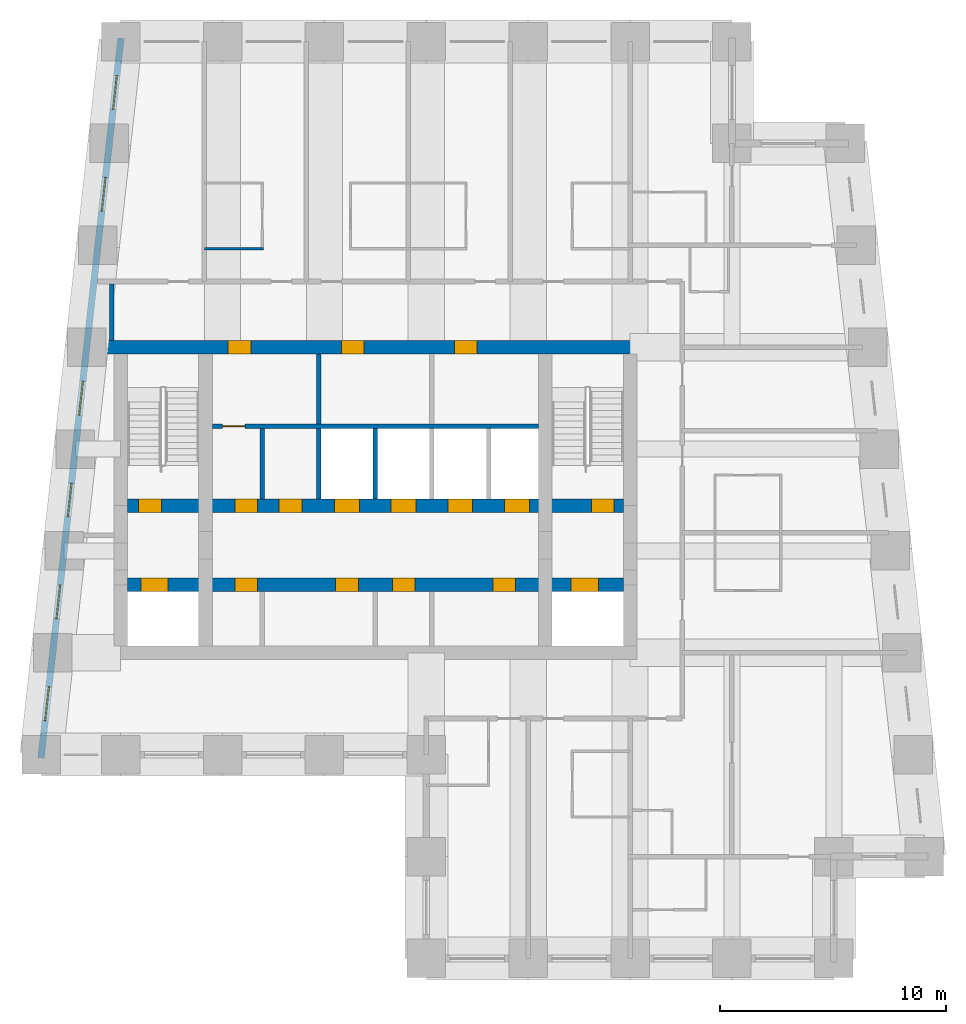
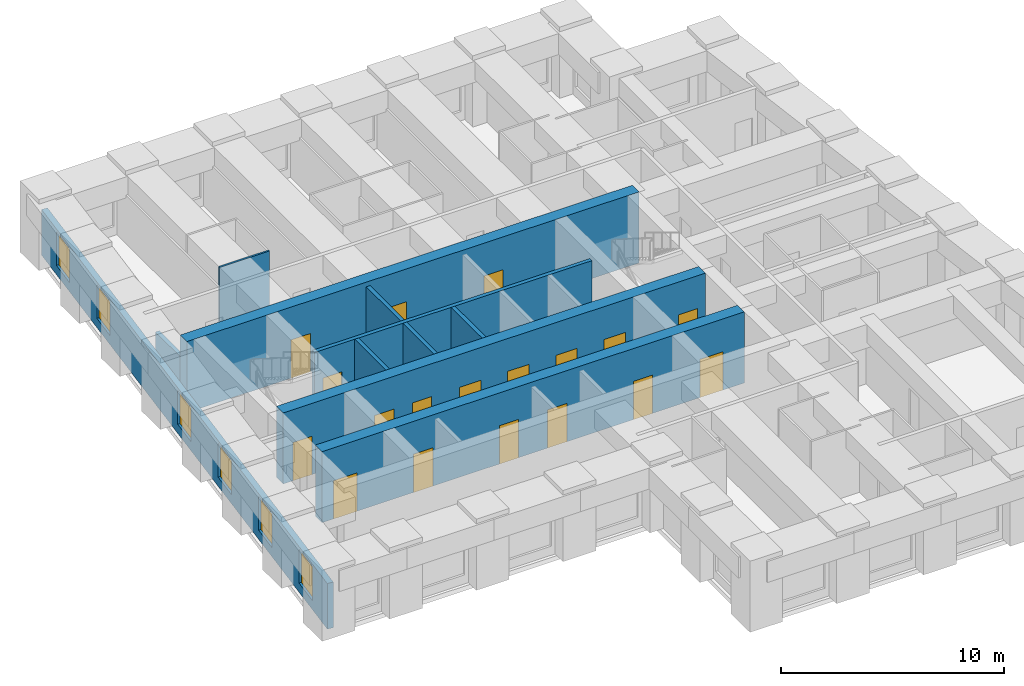
# One storey, part 3 of 7: 18 doors, 11 walls, 6 windows, 24 openings.
"""IFC4 building model written with IfcOpenShell, lengths in metres."""

from ifc_helpers import new_model, si_unit, direction, frame, frame_2d, origin, place, context, subcontext, project, spatial, rectangle, extrude, material, layer, layer_set, type_object, element, fill, save


model = new_model("IFC4")

# Units and contexts
model_context = context("Model", 3, precision=1e-05, world=origin(), true_north=direction((0.0, 1.0)))
body_context = subcontext(model_context, "Body", "Model", "MODEL_VIEW")
ifc_project = project(units=[si_unit("LENGTHUNIT", "METRE"), si_unit("AREAUNIT", "SQUARE_METRE"), si_unit("VOLUMEUNIT", "CUBIC_METRE"), si_unit("PLANEANGLEUNIT", "RADIAN"), si_unit("MASSUNIT", "GRAM", prefix="KILO")], contexts=[model_context])

# Site, building, storey
site_placement = place(None, origin())
site = spatial("IfcSite", under=ifc_project, at=site_placement, CompositionType="ELEMENT")
building_placement = place(site_placement, origin())
building = spatial("IfcBuilding", under=site, at=building_placement, Name="Kilele Tower Hotel", CompositionType="ELEMENT")
storey_placement = place(building_placement, frame((0.0, 0.0, 225.199951171875)))
storey = spatial("IfcBuildingStorey", under=building, at=storey_placement, Name="L58", CompositionType="ELEMENT", Elevation=225.199951171875)

# Wall
ifc_material_1 = material(Name="Moisture-resistant board")
ifc_layer_1 = layer(ifc_material_1, 0.10009765625)
ifc_layer_set_1 = layer_set([ifc_layer_1], Name="Moisture-resistant board")
wall_type_1 = type_object("IfcWallType", Name="Bathroom partition 100", PredefinedType="PLUMBINGWALL", material=ifc_layer_set_1)
wall_1_placement = place(storey_placement, frame((17.199951171875, 31.35009765625, 0.0), z_axis=(0.0, 0.0, 1.0), x_axis=(1.0, 0.0, 0.0)))
element("IfcWall", 1, at=wall_1_placement, inside=storey, type_object=wall_type_1, Name="Bathroom partition 100 L58", PredefinedType="PLUMBINGWALL", context=body_context, shape_type="SweptSolid", body=[
    extrude(rectangle(XDim=2.60009765625, YDim=0.10009765625, at=frame_2d((1.300048828125, 0.0))), origin(), (0.0, 0.0, 1.0), 3.650146484375),
])

# Wall, openings, doors
ifc_material_2 = material(Name="Concrete C60/75", Category="concrete")
ifc_layer_2 = layer(ifc_material_2, 0.60009765625)
ifc_layer_set_2 = layer_set([ifc_layer_2], Name="Concrete C60/75")
wall_type_2 = type_object("IfcWallType", Name="Core wall 600 C60/75", PredefinedType="SHEAR", material=ifc_layer_set_2)
wall_2_placement = place(storey_placement, frame((36.300048828125, 27.0, 0.0), z_axis=(0.0, 0.0, 1.0), x_axis=(-1.0, 0.0, 0.0)))
wall_2 = element("IfcWall", 2, at=wall_2_placement, inside=storey, type_object=wall_type_2, Name="Core wall N L58", PredefinedType="SHEAR", context=body_context, shape_type="SweptSolid", body=[
    extrude(rectangle(XDim=23.449951171875, YDim=0.60009765625, at=frame_2d((11.72509765625, 0.0))), origin(), (0.0, 0.0, 1.0), 3.900146484375),
])
opening_1_placement = place(wall_2_placement, frame((17.050048828125, 0.0, 0.0)))
opening_1 = element("IfcOpeningElement", 3, at=opening_1_placement, cuts=wall_2, Name="Opening D12", PredefinedType="OPENING", context=body_context, shape_type="SweptSolid", body=[
    extrude(rectangle(XDim=1.0, YDim=2.10009765625, at=frame_2d((0.5, 1.050048828125))), frame((0.0, 0.31005859375, 0.0), z_axis=(0.0, -1.0, 0.0), x_axis=(1.0, 0.0, 0.0)), (0.0, 0.0, 1.0), 0.6201171875),
])
opening_2_placement = place(wall_2_placement, frame((12.050048828125, 0.0, 0.0)))
opening_2 = element("IfcOpeningElement", 4, at=opening_2_placement, cuts=wall_2, Name="Opening D6", PredefinedType="OPENING", context=body_context, shape_type="SweptSolid", body=[
    extrude(rectangle(XDim=1.0, YDim=2.10009765625, at=frame_2d((0.5, 1.050048828125))), frame((0.0, 0.31005859375, 0.0), z_axis=(0.0, -1.0, 0.0), x_axis=(1.0, 0.0, 0.0)), (0.0, 0.0, 1.0), 0.6201171875),
])
opening_3_placement = place(wall_2_placement, frame((7.050048828125, 0.0, 0.0)))
opening_3 = element("IfcOpeningElement", 5, at=opening_3_placement, cuts=wall_2, Name="Opening D6", PredefinedType="OPENING", context=body_context, shape_type="SweptSolid", body=[
    extrude(rectangle(XDim=1.0, YDim=2.10009765625, at=frame_2d((0.5, 1.050048828125))), frame((0.0, 0.31005859375, 0.0), z_axis=(0.0, -1.0, 0.0), x_axis=(1.0, 0.0, 0.0)), (0.0, 0.0, 1.0), 0.6201171875),
])
ifc_material_3 = material(Name="Timber door leaf in hardwood frame", Category="wood")
door_type_1 = type_object("IfcDoorType", Name="Core lobby door 1000", OperationType="SINGLE_SWING_LEFT", PredefinedType="DOOR", material=ifc_material_3)
door_1_placement = place(opening_1_placement, origin())
door_1 = element("IfcDoor", 6, at=door_1_placement, inside=storey, type_object=door_type_1, Name="North lobby door L58", OperationType="SINGLE_SWING_RIGHT", OverallHeight=2.10009765625, OverallWidth=1.0, PredefinedType="DOOR", context=body_context, shape_type="SweptSolid", body=[
    extrude(rectangle(XDim=1.0, YDim=2.10009765625, at=frame_2d((0.5, 1.050048828125))), frame((0.0, 0.2998046875, 0.0), z_axis=(0.0, -1.0, 0.0), x_axis=(1.0, 0.0, 0.0)), (0.0, 0.0, 1.0), 0.599609375),
])
fill(opening_1, door_1)
ifc_material_4 = material(Name="Timber door leaf in hardwood frame", Category="wood")
door_type_2 = type_object("IfcDoorType", Name="Riser door 1000", OperationType="SINGLE_SWING_LEFT", PredefinedType="DOOR", material=ifc_material_4)
door_2_placement = place(opening_2_placement, origin())
door_2 = element("IfcDoor", 7, at=door_2_placement, inside=storey, type_object=door_type_2, Name="Ice and vending room door L58", OperationType="SINGLE_SWING_RIGHT", OverallHeight=2.10009765625, OverallWidth=1.0, PredefinedType="DOOR", context=body_context, shape_type="SweptSolid", body=[
    extrude(rectangle(XDim=1.0, YDim=2.10009765625, at=frame_2d((0.5, 1.050048828125))), frame((0.0, 0.2998046875, 0.0), z_axis=(0.0, -1.0, 0.0), x_axis=(1.0, 0.0, 0.0)), (0.0, 0.0, 1.0), 0.599609375),
])
fill(opening_2, door_2)
door_3_placement = place(opening_3_placement, origin())
door_3 = element("IfcDoor", 8, at=door_3_placement, inside=storey, type_object=door_type_2, Name="Electrical riser door L58", OperationType="SINGLE_SWING_RIGHT", OverallHeight=2.10009765625, OverallWidth=1.0, PredefinedType="DOOR", context=body_context, shape_type="SweptSolid", body=[
    extrude(rectangle(XDim=1.0, YDim=2.10009765625, at=frame_2d((0.5, 1.050048828125))), frame((0.0, 0.2998046875, 0.0), z_axis=(0.0, -1.0, 0.0), x_axis=(1.0, 0.0, 0.0)), (0.0, 0.0, 1.0), 0.599609375),
])
fill(opening_3, door_3)

wall_3_placement = place(storey_placement, frame((13.800048828125, 16.5, 0.0), z_axis=(0.0, 0.0, 1.0), x_axis=(1.0, 0.0, 0.0)))
wall_3 = element("IfcWall", 9, at=wall_3_placement, inside=storey, type_object=wall_type_2, Name="Core wall LS L58", PredefinedType="SHEAR", context=body_context, shape_type="SweptSolid", body=[
    extrude(rectangle(XDim=21.89990234375, YDim=0.60009765625, at=frame_2d((10.949951171875, 0.0))), origin(), (0.0, 0.0, 1.0), 3.900146484375),
])
opening_4_placement = place(wall_3_placement, frame((5.75, 0.0, 0.0), z_axis=(0.0, 0.0, 1.0), x_axis=(-1.0, 0.0, 0.0)))
opening_4 = element("IfcOpeningElement", 10, at=opening_4_placement, cuts=wall_3, Name="Opening D11", PredefinedType="OPENING", context=body_context, shape_type="SweptSolid", body=[
    extrude(rectangle(XDim=1.0, YDim=2.10009765625, at=frame_2d((0.5, 1.050048828125))), frame((0.0, 0.31005859375, 0.0), z_axis=(0.0, -1.0, 0.0), x_axis=(1.0, 0.0, 0.0)), (0.0, 0.0, 1.0), 0.6201171875),
])
opening_5_placement = place(wall_3_placement, frame((10.199951171875, 0.0, 0.0), z_axis=(0.0, 0.0, 1.0), x_axis=(-1.0, 0.0, 0.0)))
opening_5 = element("IfcOpeningElement", 11, at=opening_5_placement, cuts=wall_3, Name="Opening D11", PredefinedType="OPENING", context=body_context, shape_type="SweptSolid", body=[
    extrude(rectangle(XDim=1.0, YDim=2.10009765625, at=frame_2d((0.5, 1.050048828125))), frame((0.0, 0.31005859375, 0.0), z_axis=(0.0, -1.0, 0.0), x_axis=(1.0, 0.0, 0.0)), (0.0, 0.0, 1.0), 0.6201171875),
])
opening_6_placement = place(wall_3_placement, frame((12.699951171875, 0.0, 0.0), z_axis=(0.0, 0.0, 1.0), x_axis=(-1.0, 0.0, 0.0)))
opening_6 = element("IfcOpeningElement", 12, at=opening_6_placement, cuts=wall_3, Name="Opening D11", PredefinedType="OPENING", context=body_context, shape_type="SweptSolid", body=[
    extrude(rectangle(XDim=1.0, YDim=2.10009765625, at=frame_2d((0.5, 1.050048828125))), frame((0.0, 0.31005859375, 0.0), z_axis=(0.0, -1.0, 0.0), x_axis=(1.0, 0.0, 0.0)), (0.0, 0.0, 1.0), 0.6201171875),
])
opening_7_placement = place(wall_3_placement, frame((17.14990234375, 0.0, 0.0), z_axis=(0.0, 0.0, 1.0), x_axis=(-1.0, 0.0, 0.0)))
opening_7 = element("IfcOpeningElement", 13, at=opening_7_placement, cuts=wall_3, Name="Opening D11", PredefinedType="OPENING", context=body_context, shape_type="SweptSolid", body=[
    extrude(rectangle(XDim=1.0, YDim=2.10009765625, at=frame_2d((0.5, 1.050048828125))), frame((0.0, 0.31005859375, 0.0), z_axis=(0.0, -1.0, 0.0), x_axis=(1.0, 0.0, 0.0)), (0.0, 0.0, 1.0), 0.6201171875),
])
opening_8_placement = place(wall_3_placement, frame((0.60009765625, 0.0, 0.0)))
opening_8 = element("IfcOpeningElement", 14, at=opening_8_placement, cuts=wall_3, Name="Opening LD2", PredefinedType="OPENING", context=body_context, shape_type="SweptSolid", body=[
    extrude(rectangle(XDim=1.199951171875, YDim=2.10009765625, at=frame_2d((0.60009765625, 1.050048828125))), frame((0.0, 0.31005859375, 0.0), z_axis=(0.0, -1.0, 0.0), x_axis=(1.0, 0.0, 0.0)), (0.0, 0.0, 1.0), 0.6201171875),
])
opening_9_placement = place(wall_3_placement, frame((19.60009765625, 0.0, 0.0)))
opening_9 = element("IfcOpeningElement", 15, at=opening_9_placement, cuts=wall_3, Name="Opening LD2", PredefinedType="OPENING", context=body_context, shape_type="SweptSolid", body=[
    extrude(rectangle(XDim=1.199951171875, YDim=2.10009765625, at=frame_2d((0.60009765625, 1.050048828125))), frame((0.0, 0.31005859375, 0.0), z_axis=(0.0, -1.0, 0.0), x_axis=(1.0, 0.0, 0.0)), (0.0, 0.0, 1.0), 0.6201171875),
])
ifc_material_5 = material(Name="Timber door leaf in hardwood frame", Category="wood")
door_type_3 = type_object("IfcDoorType", Name="Core store door 1000", OperationType="SINGLE_SWING_LEFT", PredefinedType="DOOR", material=ifc_material_5)
door_4_placement = place(opening_4_placement, origin())
door_4 = element("IfcDoor", 16, at=door_4_placement, inside=storey, type_object=door_type_3, Name="Core room door L1 L58", OperationType="SINGLE_SWING_LEFT", OverallHeight=2.10009765625, OverallWidth=1.0, PredefinedType="DOOR", context=body_context, shape_type="SweptSolid", body=[
    extrude(rectangle(XDim=1.0, YDim=2.10009765625, at=frame_2d((0.5, 1.050048828125))), frame((0.0, 0.2998046875, 0.0), z_axis=(0.0, -1.0, 0.0), x_axis=(1.0, 0.0, 0.0)), (0.0, 0.0, 1.0), 0.599609375),
])
fill(opening_4, door_4)
door_5_placement = place(opening_5_placement, origin())
door_5 = element("IfcDoor", 17, at=door_5_placement, inside=storey, type_object=door_type_3, Name="Core room door L3 L58", OperationType="SINGLE_SWING_LEFT", OverallHeight=2.10009765625, OverallWidth=1.0, PredefinedType="DOOR", context=body_context, shape_type="SweptSolid", body=[
    extrude(rectangle(XDim=1.0, YDim=2.10009765625, at=frame_2d((0.5, 1.050048828125))), frame((0.0, 0.2998046875, 0.0), z_axis=(0.0, -1.0, 0.0), x_axis=(1.0, 0.0, 0.0)), (0.0, 0.0, 1.0), 0.599609375),
])
fill(opening_5, door_5)
door_6_placement = place(opening_6_placement, origin())
door_6 = element("IfcDoor", 18, at=door_6_placement, inside=storey, type_object=door_type_3, Name="Core room door M1 L58", OperationType="SINGLE_SWING_LEFT", OverallHeight=2.10009765625, OverallWidth=1.0, PredefinedType="DOOR", context=body_context, shape_type="SweptSolid", body=[
    extrude(rectangle(XDim=1.0, YDim=2.10009765625, at=frame_2d((0.5, 1.050048828125))), frame((0.0, 0.2998046875, 0.0), z_axis=(0.0, -1.0, 0.0), x_axis=(1.0, 0.0, 0.0)), (0.0, 0.0, 1.0), 0.599609375),
])
fill(opening_6, door_6)
door_7_placement = place(opening_7_placement, origin())
door_7 = element("IfcDoor", 19, at=door_7_placement, inside=storey, type_object=door_type_3, Name="Core room door M3 L58", OperationType="SINGLE_SWING_LEFT", OverallHeight=2.10009765625, OverallWidth=1.0, PredefinedType="DOOR", context=body_context, shape_type="SweptSolid", body=[
    extrude(rectangle(XDim=1.0, YDim=2.10009765625, at=frame_2d((0.5, 1.050048828125))), frame((0.0, 0.2998046875, 0.0), z_axis=(0.0, -1.0, 0.0), x_axis=(1.0, 0.0, 0.0)), (0.0, 0.0, 1.0), 0.599609375),
])
fill(opening_7, door_7)
ifc_material_6 = material(Name="Steel lift landing door", Category="steel")
door_type_4 = type_object("IfcDoorType", Name="Firefighting lift landing door 1200", OperationType="SLIDING_TO_LEFT", PredefinedType="DOOR", material=ifc_material_6)
door_8_placement = place(opening_8_placement, origin())
door_8 = element("IfcDoor", 20, at=door_8_placement, inside=storey, type_object=door_type_4, Name="Landing door FFW L58", OperationType="SLIDING_TO_LEFT", OverallHeight=2.10009765625, OverallWidth=1.199951171875, PredefinedType="DOOR", context=body_context, shape_type="SweptSolid", body=[
    extrude(rectangle(XDim=1.199951171875, YDim=2.10009765625, at=frame_2d((0.60009765625, 1.050048828125))), frame((0.0, 0.2998046875, 0.0), z_axis=(0.0, -1.0, 0.0), x_axis=(1.0, 0.0, 0.0)), (0.0, 0.0, 1.0), 0.599609375),
])
fill(opening_8, door_8)
door_9_placement = place(opening_9_placement, origin())
door_9 = element("IfcDoor", 21, at=door_9_placement, inside=storey, type_object=door_type_4, Name="Landing door FFE L58", OperationType="SLIDING_TO_LEFT", OverallHeight=2.10009765625, OverallWidth=1.199951171875, PredefinedType="DOOR", context=body_context, shape_type="SweptSolid", body=[
    extrude(rectangle(XDim=1.199951171875, YDim=2.10009765625, at=frame_2d((0.60009765625, 1.050048828125))), frame((0.0, 0.2998046875, 0.0), z_axis=(0.0, -1.0, 0.0), x_axis=(1.0, 0.0, 0.0)), (0.0, 0.0, 1.0), 0.599609375),
])
fill(opening_9, door_9)

wall_4_placement = place(storey_placement, frame((13.800048828125, 20.0, 0.0), z_axis=(0.0, 0.0, 1.0), x_axis=(1.0, 0.0, 0.0)))
wall_4 = element("IfcWall", 22, at=wall_4_placement, inside=storey, type_object=wall_type_2, Name="Core wall LN L58", PredefinedType="SHEAR", context=body_context, shape_type="SweptSolid", body=[
    extrude(rectangle(XDim=21.89990234375, YDim=0.60009765625, at=frame_2d((10.949951171875, 0.0))), origin(), (0.0, 0.0, 1.0), 3.900146484375),
])
opening_10_placement = place(wall_4_placement, frame((0.5, 0.0, 0.0)))
opening_10 = element("IfcOpeningElement", 23, at=opening_10_placement, cuts=wall_4, Name="Opening D5", PredefinedType="OPENING", context=body_context, shape_type="SweptSolid", body=[
    extrude(rectangle(XDim=1.0, YDim=2.10009765625, at=frame_2d((0.5, 1.050048828125))), frame((0.0, 0.31005859375, 0.0), z_axis=(0.0, -1.0, 0.0), x_axis=(1.0, 0.0, 0.0)), (0.0, 0.0, 1.0), 0.6201171875),
])
opening_11_placement = place(wall_4_placement, frame((20.5, 0.0, 0.0)))
opening_11 = element("IfcOpeningElement", 24, at=opening_11_placement, cuts=wall_4, Name="Opening D5", PredefinedType="OPENING", context=body_context, shape_type="SweptSolid", body=[
    extrude(rectangle(XDim=1.0, YDim=2.10009765625, at=frame_2d((0.5, 1.050048828125))), frame((0.0, 0.31005859375, 0.0), z_axis=(0.0, -1.0, 0.0), x_axis=(1.0, 0.0, 0.0)), (0.0, 0.0, 1.0), 0.6201171875),
])
opening_12_placement = place(wall_4_placement, frame((9.14990234375, 0.0, 0.0)))
opening_12 = element("IfcOpeningElement", 25, at=opening_12_placement, cuts=wall_4, Name="Opening LD1", PredefinedType="OPENING", context=body_context, shape_type="SweptSolid", body=[
    extrude(rectangle(XDim=1.10009765625, YDim=2.10009765625, at=frame_2d((0.550048828125, 1.050048828125))), frame((0.0, 0.31005859375, 0.0), z_axis=(0.0, -1.0, 0.0), x_axis=(1.0, 0.0, 0.0)), (0.0, 0.0, 1.0), 0.6201171875),
])
opening_13_placement = place(wall_4_placement, frame((11.64990234375, 0.0, 0.0)))
opening_13 = element("IfcOpeningElement", 26, at=opening_13_placement, cuts=wall_4, Name="Opening LD1", PredefinedType="OPENING", context=body_context, shape_type="SweptSolid", body=[
    extrude(rectangle(XDim=1.10009765625, YDim=2.10009765625, at=frame_2d((0.550048828125, 1.050048828125))), frame((0.0, 0.31005859375, 0.0), z_axis=(0.0, -1.0, 0.0), x_axis=(1.0, 0.0, 0.0)), (0.0, 0.0, 1.0), 0.6201171875),
])
opening_14_placement = place(wall_4_placement, frame((14.14990234375, 0.0, 0.0)))
opening_14 = element("IfcOpeningElement", 27, at=opening_14_placement, cuts=wall_4, Name="Opening LD1", PredefinedType="OPENING", context=body_context, shape_type="SweptSolid", body=[
    extrude(rectangle(XDim=1.10009765625, YDim=2.10009765625, at=frame_2d((0.550048828125, 1.050048828125))), frame((0.0, 0.31005859375, 0.0), z_axis=(0.0, -1.0, 0.0), x_axis=(1.0, 0.0, 0.0)), (0.0, 0.0, 1.0), 0.6201171875),
])
opening_15_placement = place(wall_4_placement, frame((16.64990234375, 0.0, 0.0)))
opening_15 = element("IfcOpeningElement", 28, at=opening_15_placement, cuts=wall_4, Name="Opening LD1", PredefinedType="OPENING", context=body_context, shape_type="SweptSolid", body=[
    extrude(rectangle(XDim=1.10009765625, YDim=2.10009765625, at=frame_2d((0.550048828125, 1.050048828125))), frame((0.0, 0.31005859375, 0.0), z_axis=(0.0, -1.0, 0.0), x_axis=(1.0, 0.0, 0.0)), (0.0, 0.0, 1.0), 0.6201171875),
])
opening_16_placement = place(wall_4_placement, frame((5.75, 0.0, 0.0), z_axis=(0.0, 0.0, 1.0), x_axis=(-1.0, 0.0, 0.0)))
opening_16 = element("IfcOpeningElement", 29, at=opening_16_placement, cuts=wall_4, Name="Opening D12", PredefinedType="OPENING", context=body_context, shape_type="SweptSolid", body=[
    extrude(rectangle(XDim=1.0, YDim=2.10009765625, at=frame_2d((0.5, 1.050048828125))), frame((0.0, 0.31005859375, 0.0), z_axis=(0.0, -1.0, 0.0), x_axis=(1.0, 0.0, 0.0)), (0.0, 0.0, 1.0), 0.6201171875),
])
opening_17_placement = place(wall_4_placement, frame((6.699951171875, 0.0, 0.0)))
opening_17 = element("IfcOpeningElement", 30, at=opening_17_placement, cuts=wall_4, Name="Opening D11", PredefinedType="OPENING", context=body_context, shape_type="SweptSolid", body=[
    extrude(rectangle(XDim=1.0, YDim=2.10009765625, at=frame_2d((0.5, 1.050048828125))), frame((0.0, 0.31005859375, 0.0), z_axis=(0.0, -1.0, 0.0), x_axis=(1.0, 0.0, 0.0)), (0.0, 0.0, 1.0), 0.6201171875),
])
door_10_placement = place(opening_16_placement, origin())
door_10 = element("IfcDoor", 31, at=door_10_placement, inside=storey, type_object=door_type_1, Name="Core passage door L58", OperationType="SINGLE_SWING_RIGHT", OverallHeight=2.10009765625, OverallWidth=1.0, PredefinedType="DOOR", context=body_context, shape_type="SweptSolid", body=[
    extrude(rectangle(XDim=1.0, YDim=2.10009765625, at=frame_2d((0.5, 1.050048828125))), frame((0.0, 0.2998046875, 0.0), z_axis=(0.0, -1.0, 0.0), x_axis=(1.0, 0.0, 0.0)), (0.0, 0.0, 1.0), 0.599609375),
])
fill(opening_16, door_10)
door_11_placement = place(opening_17_placement, origin())
door_11 = element("IfcDoor", 32, at=door_11_placement, inside=storey, type_object=door_type_3, Name="Core room door S2 L58", OperationType="SINGLE_SWING_LEFT", OverallHeight=2.10009765625, OverallWidth=1.0, PredefinedType="DOOR", context=body_context, shape_type="SweptSolid", body=[
    extrude(rectangle(XDim=1.0, YDim=2.10009765625, at=frame_2d((0.5, 1.050048828125))), frame((0.0, 0.2998046875, 0.0), z_axis=(0.0, -1.0, 0.0), x_axis=(1.0, 0.0, 0.0)), (0.0, 0.0, 1.0), 0.599609375),
])
fill(opening_17, door_11)
ifc_material_7 = material(Name="Steel lift landing door", Category="steel")
door_type_5 = type_object("IfcDoorType", Name="Lift landing door 1100", OperationType="SLIDING_TO_LEFT", PredefinedType="DOOR", material=ifc_material_7)
door_12_placement = place(opening_12_placement, origin())
door_12 = element("IfcDoor", 33, at=door_12_placement, inside=storey, type_object=door_type_5, Name="Landing door H1 L58", OperationType="SLIDING_TO_LEFT", OverallHeight=2.10009765625, OverallWidth=1.10009765625, PredefinedType="DOOR", context=body_context, shape_type="SweptSolid", body=[
    extrude(rectangle(XDim=1.10009765625, YDim=2.10009765625, at=frame_2d((0.550048828125, 1.050048828125))), frame((0.0, 0.2998046875, 0.0), z_axis=(0.0, -1.0, 0.0), x_axis=(1.0, 0.0, 0.0)), (0.0, 0.0, 1.0), 0.599609375),
])
fill(opening_12, door_12)
door_13_placement = place(opening_13_placement, origin())
door_13 = element("IfcDoor", 34, at=door_13_placement, inside=storey, type_object=door_type_5, Name="Landing door H2 L58", OperationType="SLIDING_TO_LEFT", OverallHeight=2.10009765625, OverallWidth=1.10009765625, PredefinedType="DOOR", context=body_context, shape_type="SweptSolid", body=[
    extrude(rectangle(XDim=1.10009765625, YDim=2.10009765625, at=frame_2d((0.550048828125, 1.050048828125))), frame((0.0, 0.2998046875, 0.0), z_axis=(0.0, -1.0, 0.0), x_axis=(1.0, 0.0, 0.0)), (0.0, 0.0, 1.0), 0.599609375),
])
fill(opening_13, door_13)
door_14_placement = place(opening_14_placement, origin())
door_14 = element("IfcDoor", 35, at=door_14_placement, inside=storey, type_object=door_type_5, Name="Landing door H3 L58", OperationType="SLIDING_TO_LEFT", OverallHeight=2.10009765625, OverallWidth=1.10009765625, PredefinedType="DOOR", context=body_context, shape_type="SweptSolid", body=[
    extrude(rectangle(XDim=1.10009765625, YDim=2.10009765625, at=frame_2d((0.550048828125, 1.050048828125))), frame((0.0, 0.2998046875, 0.0), z_axis=(0.0, -1.0, 0.0), x_axis=(1.0, 0.0, 0.0)), (0.0, 0.0, 1.0), 0.599609375),
])
fill(opening_14, door_14)
door_15_placement = place(opening_15_placement, origin())
door_15 = element("IfcDoor", 36, at=door_15_placement, inside=storey, type_object=door_type_5, Name="Landing door G1 L58", OperationType="SLIDING_TO_LEFT", OverallHeight=2.10009765625, OverallWidth=1.10009765625, PredefinedType="DOOR", context=body_context, shape_type="SweptSolid", body=[
    extrude(rectangle(XDim=1.10009765625, YDim=2.10009765625, at=frame_2d((0.550048828125, 1.050048828125))), frame((0.0, 0.2998046875, 0.0), z_axis=(0.0, -1.0, 0.0), x_axis=(1.0, 0.0, 0.0)), (0.0, 0.0, 1.0), 0.599609375),
])
fill(opening_15, door_15)
ifc_material_8 = material(Name="Timber door leaf in hardwood frame", Category="wood")
door_type_6 = type_object("IfcDoorType", Name="Stair door 1000", OperationType="SINGLE_SWING_LEFT", PredefinedType="DOOR", material=ifc_material_8)
door_16_placement = place(opening_10_placement, origin())
door_16 = element("IfcDoor", 37, at=door_16_placement, inside=storey, type_object=door_type_6, Name="Stair 1 door L58", OperationType="SINGLE_SWING_LEFT", OverallHeight=2.10009765625, OverallWidth=1.0, PredefinedType="DOOR", context=body_context, shape_type="SweptSolid", body=[
    extrude(rectangle(XDim=1.0, YDim=2.10009765625, at=frame_2d((0.5, 1.050048828125))), frame((0.0, 0.2998046875, 0.0), z_axis=(0.0, -1.0, 0.0), x_axis=(1.0, 0.0, 0.0)), (0.0, 0.0, 1.0), 0.599609375),
])
fill(opening_10, door_16)
door_17_placement = place(opening_11_placement, origin())
door_17 = element("IfcDoor", 38, at=door_17_placement, inside=storey, type_object=door_type_6, Name="Stair 2 door L58", OperationType="SINGLE_SWING_RIGHT", OverallHeight=2.10009765625, OverallWidth=1.0, PredefinedType="DOOR", context=body_context, shape_type="SweptSolid", body=[
    extrude(rectangle(XDim=1.0, YDim=2.10009765625, at=frame_2d((0.5, 1.050048828125))), frame((0.0, 0.2998046875, 0.0), z_axis=(0.0, -1.0, 0.0), x_axis=(1.0, 0.0, 0.0)), (0.0, 0.0, 1.0), 0.599609375),
])
fill(opening_11, door_17)

# Wall
ifc_material_9 = material(Name="Blockwork, plastered both sides", Category="masonry")
ifc_layer_3 = layer(ifc_material_9, 0.199951171875)
ifc_layer_set_3 = layer_set([ifc_layer_3], Name="Blockwork, plastered both sides")
wall_type_3 = type_object("IfcWallType", Name="Partition wall 200", PredefinedType="PARTITIONING", material=ifc_layer_set_3)
wall_5_placement = place(storey_placement, frame((13.10009765625, 27.300048828125, 0.0), z_axis=(0.0, 0.0, 1.0), x_axis=(0.0, 1.0, 0.0)))
element("IfcWall", 39, at=wall_5_placement, inside=storey, type_object=wall_type_3, Name="Partition wall 200 L58", PredefinedType="PARTITIONING", context=body_context, shape_type="SweptSolid", body=[
    extrude(rectangle(XDim=2.5, YDim=0.199951171875, at=frame_2d((1.25, 0.0))), origin(), (0.0, 0.0, 1.0), 2.5),
])

# Wall, openings, windows
ifc_material_10 = material(Name="Concrete C40/50 precast", Category="concrete")
ifc_layer_4 = layer(ifc_material_10, 0.260009765625, Name="Precast backing", Category="LoadBearing")
ifc_material_11 = material(Name="Reconstituted stone finish", Category="masonry")
ifc_layer_5 = layer(ifc_material_11, 0.0400390625, Name="Face mix", Category="Finish")
ifc_layer_set_4 = layer_set([ifc_layer_4, ifc_layer_5], Name="Precast concrete C40/50, reconstituted stone finish")
wall_type_4 = type_object("IfcWallType", Name="Precast stone facade wall 300", PredefinedType="STANDARD", material=ifc_layer_set_4)
wall_6_placement = place(storey_placement, frame((13.5166015625, 40.649169921875, 0.0), z_axis=(0.0, 0.0, 1.0), x_axis=(-0.110433201132, -0.993883548555, 0.0)))
wall_6 = element("IfcWall", 40, at=wall_6_placement, inside=storey, type_object=wall_type_4, Name="Facade wall L58 edge 10", PredefinedType="STANDARD", context=body_context, shape_type="SweptSolid", body=[
    extrude(rectangle(XDim=31.994140625, YDim=0.300048828125, at=frame_2d((15.9970703125, 0.0))), origin(), (0.0, 0.0, 1.0), 2.5),
])
opening_18_placement = place(wall_6_placement, frame((1.6640625, 0.0, 0.5)))
opening_18 = element("IfcOpeningElement", 41, at=opening_18_placement, cuts=wall_6, Name="Opening W4", PredefinedType="OPENING", context=body_context, shape_type="SweptSolid", body=[
    extrude(rectangle(XDim=1.5, YDim=1.85009765625, at=frame_2d((0.75, 0.925048828125))), frame((0.0, 0.159912109375, 0.0), z_axis=(0.0, -1.0, 0.0), x_axis=(1.0, 0.0, 0.0)), (0.0, 0.0, 1.0), 0.320068359375),
])
opening_19_placement = place(wall_6_placement, frame((6.19189453125, 0.0, 0.5)))
opening_19 = element("IfcOpeningElement", 42, at=opening_19_placement, cuts=wall_6, Name="Opening W4", PredefinedType="OPENING", context=body_context, shape_type="SweptSolid", body=[
    extrude(rectangle(XDim=1.5, YDim=1.85009765625, at=frame_2d((0.75, 0.925048828125))), frame((0.0, 0.159912109375, 0.0), z_axis=(0.0, -1.0, 0.0), x_axis=(1.0, 0.0, 0.0)), (0.0, 0.0, 1.0), 0.320068359375),
])
opening_20_placement = place(wall_6_placement, frame((15.2470703125, 0.0, 0.5)))
opening_20 = element("IfcOpeningElement", 43, at=opening_20_placement, cuts=wall_6, Name="Opening W4", PredefinedType="OPENING", context=body_context, shape_type="SweptSolid", body=[
    extrude(rectangle(XDim=1.5, YDim=1.85009765625, at=frame_2d((0.75, 0.925048828125))), frame((0.0, 0.159912109375, 0.0), z_axis=(0.0, -1.0, 0.0), x_axis=(1.0, 0.0, 0.0)), (0.0, 0.0, 1.0), 0.320068359375),
])
opening_21_placement = place(wall_6_placement, frame((19.77490234375, 0.0, 0.5)))
opening_21 = element("IfcOpeningElement", 44, at=opening_21_placement, cuts=wall_6, Name="Opening W4", PredefinedType="OPENING", context=body_context, shape_type="SweptSolid", body=[
    extrude(rectangle(XDim=1.5, YDim=1.85009765625, at=frame_2d((0.75, 0.925048828125))), frame((0.0, 0.159912109375, 0.0), z_axis=(0.0, -1.0, 0.0), x_axis=(1.0, 0.0, 0.0)), (0.0, 0.0, 1.0), 0.320068359375),
])
opening_22_placement = place(wall_6_placement, frame((24.302001953125, 0.0, 0.5)))
opening_22 = element("IfcOpeningElement", 45, at=opening_22_placement, cuts=wall_6, Name="Opening W4", PredefinedType="OPENING", context=body_context, shape_type="SweptSolid", body=[
    extrude(rectangle(XDim=1.5, YDim=1.85009765625, at=frame_2d((0.75, 0.925048828125))), frame((0.0, 0.159912109375, 0.0), z_axis=(0.0, -1.0, 0.0), x_axis=(1.0, 0.0, 0.0)), (0.0, 0.0, 1.0), 0.320068359375),
])
opening_23_placement = place(wall_6_placement, frame((28.830078125, 0.0, 0.5)))
opening_23 = element("IfcOpeningElement", 46, at=opening_23_placement, cuts=wall_6, Name="Opening W4", PredefinedType="OPENING", context=body_context, shape_type="SweptSolid", body=[
    extrude(rectangle(XDim=1.5, YDim=1.85009765625, at=frame_2d((0.75, 0.925048828125))), frame((0.0, 0.159912109375, 0.0), z_axis=(0.0, -1.0, 0.0), x_axis=(1.0, 0.0, 0.0)), (0.0, 0.0, 1.0), 0.320068359375),
])
ifc_material_12 = material(Name="Aluminium frame, clear double glazing", Category="aluminium")
window_type = type_object("IfcWindowType", Name="Window W4 1500 x 1850", PartitioningType="SINGLE_PANEL", PredefinedType="WINDOW", material=ifc_material_12)
window_1_placement = place(opening_18_placement, origin())
window_1 = element("IfcWindow", 47, at=window_1_placement, inside=storey, type_object=window_type, Name="Window L58", OverallHeight=1.85009765625, OverallWidth=1.5, PartitioningType="SINGLE_PANEL", PredefinedType="WINDOW", context=body_context, shape_type="SweptSolid", body=[
    extrude(rectangle(XDim=1.5, YDim=1.85009765625, at=frame_2d((0.75, 0.925048828125))), frame((0.0, 0.030029296875, 0.0), z_axis=(0.0, -1.0, 0.0), x_axis=(1.0, 0.0, 0.0)), (0.0, 0.0, 1.0), 0.06005859375),
])
fill(opening_18, window_1)
window_2_placement = place(opening_19_placement, origin())
window_2 = element("IfcWindow", 48, at=window_2_placement, inside=storey, type_object=window_type, Name="Window L58", OverallHeight=1.85009765625, OverallWidth=1.5, PartitioningType="SINGLE_PANEL", PredefinedType="WINDOW", context=body_context, shape_type="SweptSolid", body=[
    extrude(rectangle(XDim=1.5, YDim=1.85009765625, at=frame_2d((0.75, 0.925048828125))), frame((0.0, 0.030029296875, 0.0), z_axis=(0.0, -1.0, 0.0), x_axis=(1.0, 0.0, 0.0)), (0.0, 0.0, 1.0), 0.06005859375),
])
fill(opening_19, window_2)
window_3_placement = place(opening_20_placement, origin())
window_3 = element("IfcWindow", 49, at=window_3_placement, inside=storey, type_object=window_type, Name="Window L58", OverallHeight=1.85009765625, OverallWidth=1.5, PartitioningType="SINGLE_PANEL", PredefinedType="WINDOW", context=body_context, shape_type="SweptSolid", body=[
    extrude(rectangle(XDim=1.5, YDim=1.85009765625, at=frame_2d((0.75, 0.925048828125))), frame((0.0, 0.030029296875, 0.0), z_axis=(0.0, -1.0, 0.0), x_axis=(1.0, 0.0, 0.0)), (0.0, 0.0, 1.0), 0.06005859375),
])
fill(opening_20, window_3)
window_4_placement = place(opening_21_placement, origin())
window_4 = element("IfcWindow", 50, at=window_4_placement, inside=storey, type_object=window_type, Name="Window L58", OverallHeight=1.85009765625, OverallWidth=1.5, PartitioningType="SINGLE_PANEL", PredefinedType="WINDOW", context=body_context, shape_type="SweptSolid", body=[
    extrude(rectangle(XDim=1.5, YDim=1.85009765625, at=frame_2d((0.75, 0.925048828125))), frame((0.0, 0.030029296875, 0.0), z_axis=(0.0, -1.0, 0.0), x_axis=(1.0, 0.0, 0.0)), (0.0, 0.0, 1.0), 0.06005859375),
])
fill(opening_21, window_4)
window_5_placement = place(opening_22_placement, origin())
window_5 = element("IfcWindow", 51, at=window_5_placement, inside=storey, type_object=window_type, Name="Window L58", OverallHeight=1.85009765625, OverallWidth=1.5, PartitioningType="SINGLE_PANEL", PredefinedType="WINDOW", context=body_context, shape_type="SweptSolid", body=[
    extrude(rectangle(XDim=1.5, YDim=1.85009765625, at=frame_2d((0.75, 0.925048828125))), frame((0.0, 0.030029296875, 0.0), z_axis=(0.0, -1.0, 0.0), x_axis=(1.0, 0.0, 0.0)), (0.0, 0.0, 1.0), 0.06005859375),
])
fill(opening_22, window_5)
window_6_placement = place(opening_23_placement, origin())
window_6 = element("IfcWindow", 52, at=window_6_placement, inside=storey, type_object=window_type, Name="Window L58", OverallHeight=1.85009765625, OverallWidth=1.5, PartitioningType="SINGLE_PANEL", PredefinedType="WINDOW", context=body_context, shape_type="SweptSolid", body=[
    extrude(rectangle(XDim=1.5, YDim=1.85009765625, at=frame_2d((0.75, 0.925048828125))), frame((0.0, 0.030029296875, 0.0), z_axis=(0.0, -1.0, 0.0), x_axis=(1.0, 0.0, 0.0)), (0.0, 0.0, 1.0), 0.06005859375),
])
fill(opening_23, window_6)

# Walls
ifc_material_13 = material(Name="Blockwork, fire-rated", Category="masonry")
ifc_layer_6 = layer(ifc_material_13, 0.199951171875)
ifc_layer_set_5 = layer_set([ifc_layer_6], Name="Blockwork, fire-rated")
wall_type_5 = type_object("IfcWallType", Name="Shaft wall 200", PredefinedType="PARTITIONING", material=ifc_layer_set_5)
for number, where, z_axis, x_axis, name in (
    (53, (19.75, 20.300048828125, 0.0), (0.0, 0.0, 1.0), (0.0, 1.0, 0.0), "Shaft wall 200 L58"),
    (54, (22.25, 20.300048828125, 0.0), (0.0, 0.0, 1.0), (0.0, 1.0, 0.0), "Shaft wall 200 L58"),
    (55, (24.75, 20.300048828125, 0.0), (0.0, 0.0, 1.0), (0.0, 1.0, 0.0), "Shaft wall 200 L58"),
):
    element("IfcWall", number, at=place(storey_placement, frame(where, z_axis=z_axis, x_axis=x_axis)), inside=storey, type_object=wall_type_5, Name=name, PredefinedType="PARTITIONING", context=body_context, shape_type="SweptSolid", body=[
        extrude(rectangle(XDim=3.099853515625, YDim=0.199951171875, at=frame_2d((1.5498046875, 0.0))), origin(), (0.0, 0.0, 1.0), 3.650146484375),
    ])

# Wall, opening, door
wall_7_placement = place(storey_placement, frame((17.550048828125, 23.5, 0.0), z_axis=(0.0, 0.0, 1.0), x_axis=(1.0, 0.0, 0.0)))
wall_7 = element("IfcWall", 56, at=wall_7_placement, inside=storey, type_object=wall_type_5, Name="Shaft wall 200 L58", PredefinedType="PARTITIONING", context=body_context, shape_type="SweptSolid", body=[
    extrude(rectangle(XDim=14.39990234375, YDim=0.199951171875, at=frame_2d((7.199951171875, 0.0))), origin(), (0.0, 0.0, 1.0), 3.650146484375),
])
opening_24_placement = place(wall_7_placement, frame((0.449951171875, 0.0, 0.0)))
opening_24 = element("IfcOpeningElement", 57, at=opening_24_placement, cuts=wall_7, Name="Opening D12", PredefinedType="OPENING", context=body_context, shape_type="SweptSolid", body=[
    extrude(rectangle(XDim=1.0, YDim=2.10009765625, at=frame_2d((0.5, 1.050048828125))), frame((0.0, 0.10986328125, 0.0), z_axis=(0.0, -1.0, 0.0), x_axis=(1.0, 0.0, 0.0)), (0.0, 0.0, 1.0), 0.219970703125),
])
door_18_placement = place(opening_24_placement, origin())
door_18 = element("IfcDoor", 58, at=door_18_placement, inside=storey, type_object=door_type_1, Name="Core passage door", OperationType="SINGLE_SWING_LEFT", OverallHeight=2.10009765625, OverallWidth=1.0, PredefinedType="DOOR", context=body_context, shape_type="SweptSolid", body=[
    extrude(rectangle(XDim=1.0, YDim=2.10009765625, at=frame_2d((0.5, 1.050048828125))), frame((0.0, 0.02490234375, 0.0), z_axis=(0.0, -1.0, 0.0), x_axis=(1.0, 0.0, 0.0)), (0.0, 0.0, 1.0), 0.050048828125),
])
fill(opening_24, door_18)

# Wall
wall_8_placement = place(storey_placement, frame((22.25, 23.60009765625, 0.0), z_axis=(0.0, 0.0, 1.0), x_axis=(0.0, 1.0, 0.0)))
element("IfcWall", 59, at=wall_8_placement, inside=storey, type_object=wall_type_5, Name="Shaft wall 200 L58", PredefinedType="PARTITIONING", context=body_context, shape_type="SweptSolid", body=[
    extrude(rectangle(XDim=3.099853515625, YDim=0.199951171875, at=frame_2d((1.5498046875, 0.0))), origin(), (0.0, 0.0, 1.0), 3.650146484375),
])

save(model, "model.ifc")
